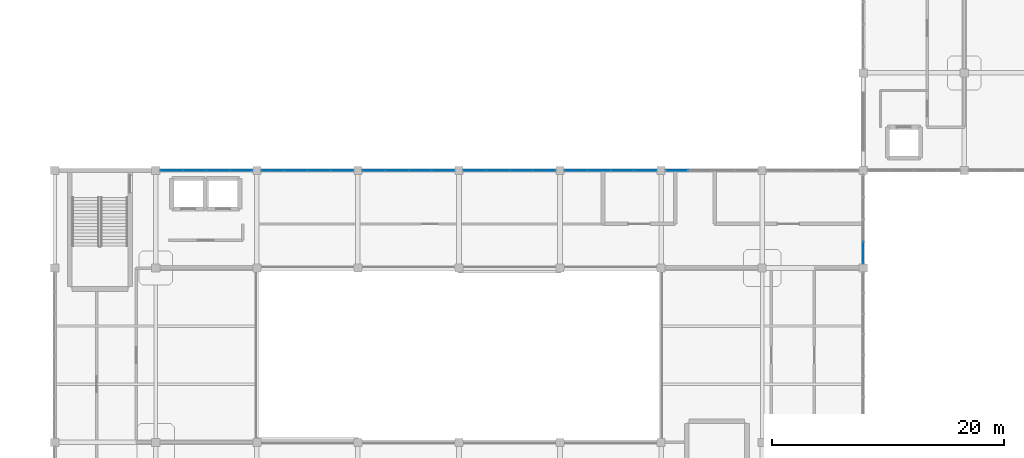
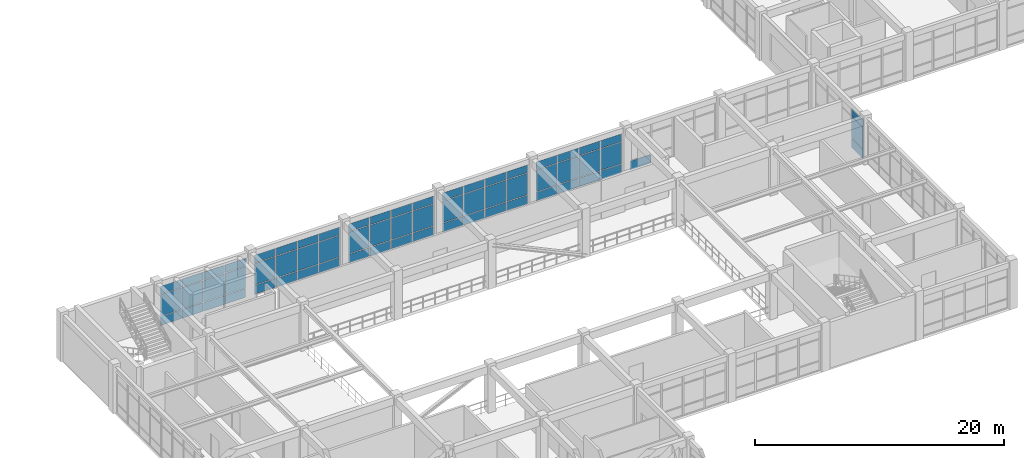
# One storey, part 56 of 76: 64 plates, 7 elements without a shape of their own.
"""IFC4 building model written with IfcOpenShell, lengths in metres."""

from ifc_helpers import new_model, si_unit, derived_unit, direction, frame, origin, origin_2d, place, context, subcontext, project, spatial, rectangle, extrude, material, layer, layer_set, type_object, element, aggregate, save


model = new_model("IFC4")

# Units and contexts
model_context = context("Model", 3, precision=1e-05, world=origin(), true_north=direction((0.0, 1.0)))
body_context = subcontext(model_context, "Body", "Model", "MODEL_VIEW")
ifc_project = project(units=[si_unit("LENGTHUNIT", "METRE"), si_unit("AREAUNIT", "SQUARE_METRE"), si_unit("VOLUMEUNIT", "CUBIC_METRE"), si_unit("PLANEANGLEUNIT", "RADIAN"), si_unit("MASSUNIT", "GRAM", prefix="KILO"), derived_unit("THERMALTRANSMITTANCEUNIT", [(si_unit("MASSUNIT", "GRAM", prefix="KILO"), 1), (si_unit("TIMEUNIT", "SECOND"), -3), (si_unit("THERMODYNAMICTEMPERATUREUNIT", "KELVIN"), -1)])], contexts=[model_context])

# Site, building, storey
site_placement = place(None, origin())
site = spatial("IfcSite", under=ifc_project, at=site_placement, CompositionType="ELEMENT")
building_placement = place(site_placement, origin())
building = spatial("IfcBuilding", under=site, at=building_placement, Name="Qinzheling Arcade Emporium", CompositionType="ELEMENT")
storey_placement = place(building_placement, frame((0.0, 0.0, 26.699951171875)))
storey = spatial("IfcBuildingStorey", under=building, at=storey_placement, Name="L06", CompositionType="ELEMENT", Elevation=26.699951171875)

# Curtain wall, plates
ifc_material_1 = material(Name="Anodised aluminium and solar-control double glazing", Category="aluminium")
ifc_layer_1 = layer(ifc_material_1, 0.159912109375, Name="Anodised aluminium and solar-control double glazing", Category="aluminium")
ifc_layer_set_1 = layer_set([ifc_layer_1], Name="Anodised aluminium and solar-control double glazing")
curtain_wall_type = type_object("IfcCurtainWallType", Name="Atrium Clerestory Curtain Wall", PredefinedType="NOTDEFINED", material=ifc_layer_set_1)
curtain_wall_1_placement = place(storey_placement, origin())
curtain_wall_1 = element("IfcCurtainWall", 1, at=curtain_wall_1_placement, inside=storey, type_object=curtain_wall_type, Name="Curtain Wall CW-L06-366", PredefinedType="NOTDEFINED")
ifc_material_2 = material(Name="Laminated solar-control double glazing", Category="glass")
ifc_layer_2 = layer(ifc_material_2, 0.02490234375, Name="Laminated solar-control double glazing", Category="glass")
ifc_layer_set_2 = layer_set([ifc_layer_2], Name="Laminated solar-control double glazing")
plate_type_1 = type_object("IfcPlateType", Name="Low-E Double Glazed Curtain Panel 25mm", PredefinedType="CURTAIN_PANEL", material=ifc_layer_set_2)
plate_1_placement = place(storey_placement, frame((44.866455078125, 73.800048828125, 0.06005859375), z_axis=(0.0, 0.0, 1.0), x_axis=(1.0, 0.0, 0.0)))
plate_1 = element("IfcPlate", 2, at=plate_1_placement, type_object=plate_type_1, Name="CW03 panel 1.1", PredefinedType="CURTAIN_PANEL", context=body_context, shape_type="SweptSolid", body=[
    extrude(rectangle(XDim=1.908935546875, YDim=0.02490234375, at=origin_2d()), origin(), (0.0, 0.0, 1.0), 0.860107421875),
])
plate_2_placement = place(storey_placement, frame((44.866455078125, 73.800048828125, 0.97998046875), z_axis=(0.0, 0.0, 1.0), x_axis=(1.0, 0.0, 0.0)))
plate_2 = element("IfcPlate", 3, at=plate_2_placement, type_object=plate_type_1, Name="CW03 panel 1.2", PredefinedType="CURTAIN_PANEL", context=body_context, shape_type="SweptSolid", body=[
    extrude(rectangle(XDim=1.908935546875, YDim=0.02490234375, at=origin_2d()), origin(), (0.0, 0.0, 1.0), 2.094970703125),
])
plate_3_placement = place(storey_placement, frame((44.866455078125, 73.800048828125, 3.13525390625), z_axis=(0.0, 0.0, 1.0), x_axis=(1.0, 0.0, 0.0)))
plate_3 = element("IfcPlate", 4, at=plate_3_placement, type_object=plate_type_1, Name="CW03 panel 1.3", PredefinedType="CURTAIN_PANEL", context=body_context, shape_type="SweptSolid", body=[
    extrude(rectangle(XDim=1.908935546875, YDim=0.02490234375, at=origin_2d()), origin(), (0.0, 0.0, 1.0), 0.760009765625),
])
plate_4_placement = place(storey_placement, frame((46.8505859375, 73.800048828125, 0.06005859375), z_axis=(0.0, 0.0, 1.0), x_axis=(1.0, 0.0, 0.0)))
plate_4 = element("IfcPlate", 5, at=plate_4_placement, type_object=plate_type_1, Name="CW03 panel 2.1", PredefinedType="CURTAIN_PANEL", context=body_context, shape_type="SweptSolid", body=[
    extrude(rectangle(XDim=1.93896484375, YDim=0.02490234375, at=origin_2d()), origin(), (0.0, 0.0, 1.0), 0.860107421875),
])
plate_5_placement = place(storey_placement, frame((46.8505859375, 73.800048828125, 0.97998046875), z_axis=(0.0, 0.0, 1.0), x_axis=(1.0, 0.0, 0.0)))
plate_5 = element("IfcPlate", 6, at=plate_5_placement, type_object=plate_type_1, Name="CW03 panel 2.2", PredefinedType="CURTAIN_PANEL", context=body_context, shape_type="SweptSolid", body=[
    extrude(rectangle(XDim=1.93896484375, YDim=0.02490234375, at=origin_2d()), origin(), (0.0, 0.0, 1.0), 2.094970703125),
])
plate_6_placement = place(storey_placement, frame((46.8505859375, 73.800048828125, 3.13525390625), z_axis=(0.0, 0.0, 1.0), x_axis=(1.0, 0.0, 0.0)))
plate_6 = element("IfcPlate", 7, at=plate_6_placement, type_object=plate_type_1, Name="CW03 panel 2.3", PredefinedType="CURTAIN_PANEL", context=body_context, shape_type="SweptSolid", body=[
    extrude(rectangle(XDim=1.93896484375, YDim=0.02490234375, at=origin_2d()), origin(), (0.0, 0.0, 1.0), 0.760009765625),
])
plate_7_placement = place(storey_placement, frame((48.849609375, 73.800048828125, 0.06005859375), z_axis=(0.0, 0.0, 1.0), x_axis=(1.0, 0.0, 0.0)))
plate_7 = element("IfcPlate", 8, at=plate_7_placement, type_object=plate_type_1, Name="CW03 panel 3.1", PredefinedType="CURTAIN_PANEL", context=body_context, shape_type="SweptSolid", body=[
    extrude(rectangle(XDim=1.93896484375, YDim=0.02490234375, at=origin_2d()), origin(), (0.0, 0.0, 1.0), 0.860107421875),
])
plate_8_placement = place(storey_placement, frame((48.849609375, 73.800048828125, 0.97998046875), z_axis=(0.0, 0.0, 1.0), x_axis=(1.0, 0.0, 0.0)))
plate_8 = element("IfcPlate", 9, at=plate_8_placement, type_object=plate_type_1, Name="CW03 panel 3.2", PredefinedType="CURTAIN_PANEL", context=body_context, shape_type="SweptSolid", body=[
    extrude(rectangle(XDim=1.93896484375, YDim=0.02490234375, at=origin_2d()), origin(), (0.0, 0.0, 1.0), 2.094970703125),
])
plate_9_placement = place(storey_placement, frame((48.849609375, 73.800048828125, 3.13525390625), z_axis=(0.0, 0.0, 1.0), x_axis=(1.0, 0.0, 0.0)))
plate_9 = element("IfcPlate", 10, at=plate_9_placement, type_object=plate_type_1, Name="CW03 panel 3.3", PredefinedType="CURTAIN_PANEL", context=body_context, shape_type="SweptSolid", body=[
    extrude(rectangle(XDim=1.93896484375, YDim=0.02490234375, at=origin_2d()), origin(), (0.0, 0.0, 1.0), 0.760009765625),
])
plate_10_placement = place(storey_placement, frame((50.83349609375, 73.800048828125, 0.06005859375), z_axis=(0.0, 0.0, 1.0), x_axis=(1.0, 0.0, 0.0)))
plate_10 = element("IfcPlate", 11, at=plate_10_placement, type_object=plate_type_1, Name="CW03 panel 4.1", PredefinedType="CURTAIN_PANEL", context=body_context, shape_type="SweptSolid", body=[
    extrude(rectangle(XDim=1.908935546875, YDim=0.02490234375, at=origin_2d()), origin(), (0.0, 0.0, 1.0), 0.860107421875),
])
plate_11_placement = place(storey_placement, frame((50.83349609375, 73.800048828125, 0.97998046875), z_axis=(0.0, 0.0, 1.0), x_axis=(1.0, 0.0, 0.0)))
plate_11 = element("IfcPlate", 12, at=plate_11_placement, type_object=plate_type_1, Name="CW03 panel 4.2", PredefinedType="CURTAIN_PANEL", context=body_context, shape_type="SweptSolid", body=[
    extrude(rectangle(XDim=1.908935546875, YDim=0.02490234375, at=origin_2d()), origin(), (0.0, 0.0, 1.0), 2.094970703125),
])
plate_12_placement = place(storey_placement, frame((50.83349609375, 73.800048828125, 3.13525390625), z_axis=(0.0, 0.0, 1.0), x_axis=(1.0, 0.0, 0.0)))
plate_12 = element("IfcPlate", 13, at=plate_12_placement, type_object=plate_type_1, Name="CW03 panel 4.3", PredefinedType="CURTAIN_PANEL", context=body_context, shape_type="SweptSolid", body=[
    extrude(rectangle(XDim=1.908935546875, YDim=0.02490234375, at=origin_2d()), origin(), (0.0, 0.0, 1.0), 0.760009765625),
])
aggregate(curtain_wall_1, [plate_1, plate_2, plate_3, plate_4, plate_5, plate_6, plate_7, plate_8, plate_9, plate_10, plate_11, plate_12])

curtain_wall_2_placement = place(storey_placement, origin())
curtain_wall_2 = element("IfcCurtainWall", 14, at=curtain_wall_2_placement, inside=storey, type_object=curtain_wall_type, Name="Curtain Wall CW-L06-367", PredefinedType="NOTDEFINED")
ifc_layer_3 = layer(ifc_material_2, 0.02587890625, Name="Laminated solar-control double glazing", Category="glass")
ifc_layer_set_3 = layer_set([ifc_layer_3], Name="Laminated solar-control double glazing")
plate_type_2 = type_object("IfcPlateType", Name="Low-E Double Glazed Curtain Panel 26mm", PredefinedType="CURTAIN_PANEL", material=ifc_layer_set_3)
plate_13_placement = place(storey_placement, frame((53.56640625, 73.800048828125, 0.06005859375), z_axis=(0.0, 0.0, 1.0), x_axis=(1.0, 0.0, 0.0)))
plate_13 = element("IfcPlate", 15, at=plate_13_placement, type_object=plate_type_2, Name="CW03 panel 1.1", PredefinedType="CURTAIN_PANEL", context=body_context, shape_type="SweptSolid", body=[
    extrude(rectangle(XDim=1.908935546875, YDim=0.02587890625, at=origin_2d()), origin(), (0.0, 0.0, 1.0), 0.860107421875),
])
plate_14_placement = place(storey_placement, frame((53.56640625, 73.800048828125, 0.97998046875), z_axis=(0.0, 0.0, 1.0), x_axis=(1.0, 0.0, 0.0)))
plate_14 = element("IfcPlate", 16, at=plate_14_placement, type_object=plate_type_2, Name="CW03 panel 1.2", PredefinedType="CURTAIN_PANEL", context=body_context, shape_type="SweptSolid", body=[
    extrude(rectangle(XDim=1.908935546875, YDim=0.02587890625, at=origin_2d()), origin(), (0.0, 0.0, 1.0), 2.094970703125),
])
plate_15_placement = place(storey_placement, frame((53.56640625, 73.800048828125, 3.13525390625), z_axis=(0.0, 0.0, 1.0), x_axis=(1.0, 0.0, 0.0)))
plate_15 = element("IfcPlate", 17, at=plate_15_placement, type_object=plate_type_2, Name="CW03 panel 1.3", PredefinedType="CURTAIN_PANEL", context=body_context, shape_type="SweptSolid", body=[
    extrude(rectangle(XDim=1.908935546875, YDim=0.02587890625, at=origin_2d()), origin(), (0.0, 0.0, 1.0), 0.760009765625),
])
plate_16_placement = place(storey_placement, frame((55.550537109375, 73.800048828125, 0.06005859375), z_axis=(0.0, 0.0, 1.0), x_axis=(1.0, 0.0, 0.0)))
plate_16 = element("IfcPlate", 18, at=plate_16_placement, type_object=plate_type_2, Name="CW03 panel 2.1", PredefinedType="CURTAIN_PANEL", context=body_context, shape_type="SweptSolid", body=[
    extrude(rectangle(XDim=1.93896484375, YDim=0.02587890625, at=origin_2d()), origin(), (0.0, 0.0, 1.0), 0.860107421875),
])
plate_17_placement = place(storey_placement, frame((55.550537109375, 73.800048828125, 0.97998046875), z_axis=(0.0, 0.0, 1.0), x_axis=(1.0, 0.0, 0.0)))
plate_17 = element("IfcPlate", 19, at=plate_17_placement, type_object=plate_type_2, Name="CW03 panel 2.2", PredefinedType="CURTAIN_PANEL", context=body_context, shape_type="SweptSolid", body=[
    extrude(rectangle(XDim=1.93896484375, YDim=0.02587890625, at=origin_2d()), origin(), (0.0, 0.0, 1.0), 2.094970703125),
])
plate_18_placement = place(storey_placement, frame((55.550537109375, 73.800048828125, 3.13525390625), z_axis=(0.0, 0.0, 1.0), x_axis=(1.0, 0.0, 0.0)))
plate_18 = element("IfcPlate", 20, at=plate_18_placement, type_object=plate_type_2, Name="CW03 panel 2.3", PredefinedType="CURTAIN_PANEL", context=body_context, shape_type="SweptSolid", body=[
    extrude(rectangle(XDim=1.93896484375, YDim=0.02587890625, at=origin_2d()), origin(), (0.0, 0.0, 1.0), 0.760009765625),
])
plate_19_placement = place(storey_placement, frame((57.549560546875, 73.800048828125, 0.06005859375), z_axis=(0.0, 0.0, 1.0), x_axis=(1.0, 0.0, 0.0)))
plate_19 = element("IfcPlate", 21, at=plate_19_placement, type_object=plate_type_2, Name="CW03 panel 3.1", PredefinedType="CURTAIN_PANEL", context=body_context, shape_type="SweptSolid", body=[
    extrude(rectangle(XDim=1.93896484375, YDim=0.02587890625, at=origin_2d()), origin(), (0.0, 0.0, 1.0), 0.860107421875),
])
plate_20_placement = place(storey_placement, frame((57.549560546875, 73.800048828125, 0.97998046875), z_axis=(0.0, 0.0, 1.0), x_axis=(1.0, 0.0, 0.0)))
plate_20 = element("IfcPlate", 22, at=plate_20_placement, type_object=plate_type_2, Name="CW03 panel 3.2", PredefinedType="CURTAIN_PANEL", context=body_context, shape_type="SweptSolid", body=[
    extrude(rectangle(XDim=1.93896484375, YDim=0.02587890625, at=origin_2d()), origin(), (0.0, 0.0, 1.0), 2.094970703125),
])
plate_21_placement = place(storey_placement, frame((57.549560546875, 73.800048828125, 3.13525390625), z_axis=(0.0, 0.0, 1.0), x_axis=(1.0, 0.0, 0.0)))
plate_21 = element("IfcPlate", 23, at=plate_21_placement, type_object=plate_type_2, Name="CW03 panel 3.3", PredefinedType="CURTAIN_PANEL", context=body_context, shape_type="SweptSolid", body=[
    extrude(rectangle(XDim=1.93896484375, YDim=0.02587890625, at=origin_2d()), origin(), (0.0, 0.0, 1.0), 0.760009765625),
])
plate_22_placement = place(storey_placement, frame((59.533447265625, 73.800048828125, 0.06005859375), z_axis=(0.0, 0.0, 1.0), x_axis=(1.0, 0.0, 0.0)))
plate_22 = element("IfcPlate", 24, at=plate_22_placement, type_object=plate_type_2, Name="CW03 panel 4.1", PredefinedType="CURTAIN_PANEL", context=body_context, shape_type="SweptSolid", body=[
    extrude(rectangle(XDim=1.908935546875, YDim=0.02587890625, at=origin_2d()), origin(), (0.0, 0.0, 1.0), 0.860107421875),
])
plate_23_placement = place(storey_placement, frame((59.533447265625, 73.800048828125, 0.97998046875), z_axis=(0.0, 0.0, 1.0), x_axis=(1.0, 0.0, 0.0)))
plate_23 = element("IfcPlate", 25, at=plate_23_placement, type_object=plate_type_2, Name="CW03 panel 4.2", PredefinedType="CURTAIN_PANEL", context=body_context, shape_type="SweptSolid", body=[
    extrude(rectangle(XDim=1.908935546875, YDim=0.02587890625, at=origin_2d()), origin(), (0.0, 0.0, 1.0), 2.094970703125),
])
plate_24_placement = place(storey_placement, frame((59.533447265625, 73.800048828125, 3.13525390625), z_axis=(0.0, 0.0, 1.0), x_axis=(1.0, 0.0, 0.0)))
plate_24 = element("IfcPlate", 26, at=plate_24_placement, type_object=plate_type_2, Name="CW03 panel 4.3", PredefinedType="CURTAIN_PANEL", context=body_context, shape_type="SweptSolid", body=[
    extrude(rectangle(XDim=1.908935546875, YDim=0.02587890625, at=origin_2d()), origin(), (0.0, 0.0, 1.0), 0.760009765625),
])
aggregate(curtain_wall_2, [plate_13, plate_14, plate_15, plate_16, plate_17, plate_18, plate_19, plate_20, plate_21, plate_22, plate_23, plate_24])

curtain_wall_3_placement = place(storey_placement, origin())
curtain_wall_3 = element("IfcCurtainWall", 27, at=curtain_wall_3_placement, inside=storey, type_object=curtain_wall_type, Name="Curtain Wall CW-L06-368", PredefinedType="NOTDEFINED")
ifc_layer_4 = layer(ifc_material_2, 0.027099609375, Name="Laminated solar-control double glazing", Category="glass")
ifc_layer_set_4 = layer_set([ifc_layer_4], Name="Laminated solar-control double glazing")
plate_type_3 = type_object("IfcPlateType", Name="Low-E Double Glazed Curtain Panel 27mm", PredefinedType="CURTAIN_PANEL", material=ifc_layer_set_4)
plate_25_placement = place(storey_placement, frame((62.2666015625, 73.800048828125, 0.06005859375), z_axis=(0.0, 0.0, 1.0), x_axis=(1.0, 0.0, 0.0)))
plate_25 = element("IfcPlate", 28, at=plate_25_placement, type_object=plate_type_3, Name="CW03 panel 1.1", PredefinedType="CURTAIN_PANEL", context=body_context, shape_type="SweptSolid", body=[
    extrude(rectangle(XDim=1.908935546875, YDim=0.027099609375, at=origin_2d()), origin(), (0.0, 0.0, 1.0), 0.860107421875),
])
plate_26_placement = place(storey_placement, frame((62.2666015625, 73.800048828125, 0.97998046875), z_axis=(0.0, 0.0, 1.0), x_axis=(1.0, 0.0, 0.0)))
plate_26 = element("IfcPlate", 29, at=plate_26_placement, type_object=plate_type_3, Name="CW03 panel 1.2", PredefinedType="CURTAIN_PANEL", context=body_context, shape_type="SweptSolid", body=[
    extrude(rectangle(XDim=1.908935546875, YDim=0.027099609375, at=origin_2d()), origin(), (0.0, 0.0, 1.0), 2.094970703125),
])
plate_27_placement = place(storey_placement, frame((62.2666015625, 73.800048828125, 3.13525390625), z_axis=(0.0, 0.0, 1.0), x_axis=(1.0, 0.0, 0.0)))
plate_27 = element("IfcPlate", 30, at=plate_27_placement, type_object=plate_type_3, Name="CW03 panel 1.3", PredefinedType="CURTAIN_PANEL", context=body_context, shape_type="SweptSolid", body=[
    extrude(rectangle(XDim=1.908935546875, YDim=0.027099609375, at=origin_2d()), origin(), (0.0, 0.0, 1.0), 0.760009765625),
])
plate_28_placement = place(storey_placement, frame((64.25048828125, 73.800048828125, 0.06005859375), z_axis=(0.0, 0.0, 1.0), x_axis=(1.0, 0.0, 0.0)))
plate_28 = element("IfcPlate", 31, at=plate_28_placement, type_object=plate_type_3, Name="CW03 panel 2.1", PredefinedType="CURTAIN_PANEL", context=body_context, shape_type="SweptSolid", body=[
    extrude(rectangle(XDim=1.93896484375, YDim=0.027099609375, at=origin_2d()), origin(), (0.0, 0.0, 1.0), 0.860107421875),
])
plate_29_placement = place(storey_placement, frame((64.25048828125, 73.800048828125, 0.97998046875), z_axis=(0.0, 0.0, 1.0), x_axis=(1.0, 0.0, 0.0)))
plate_29 = element("IfcPlate", 32, at=plate_29_placement, type_object=plate_type_3, Name="CW03 panel 2.2", PredefinedType="CURTAIN_PANEL", context=body_context, shape_type="SweptSolid", body=[
    extrude(rectangle(XDim=1.93896484375, YDim=0.027099609375, at=origin_2d()), origin(), (0.0, 0.0, 1.0), 2.094970703125),
])
plate_30_placement = place(storey_placement, frame((64.25048828125, 73.800048828125, 3.13525390625), z_axis=(0.0, 0.0, 1.0), x_axis=(1.0, 0.0, 0.0)))
plate_30 = element("IfcPlate", 33, at=plate_30_placement, type_object=plate_type_3, Name="CW03 panel 2.3", PredefinedType="CURTAIN_PANEL", context=body_context, shape_type="SweptSolid", body=[
    extrude(rectangle(XDim=1.93896484375, YDim=0.027099609375, at=origin_2d()), origin(), (0.0, 0.0, 1.0), 0.760009765625),
])
plate_31_placement = place(storey_placement, frame((66.24951171875, 73.800048828125, 0.06005859375), z_axis=(0.0, 0.0, 1.0), x_axis=(1.0, 0.0, 0.0)))
plate_31 = element("IfcPlate", 34, at=plate_31_placement, type_object=plate_type_3, Name="CW03 panel 3.1", PredefinedType="CURTAIN_PANEL", context=body_context, shape_type="SweptSolid", body=[
    extrude(rectangle(XDim=1.93896484375, YDim=0.027099609375, at=origin_2d()), origin(), (0.0, 0.0, 1.0), 0.860107421875),
])
plate_32_placement = place(storey_placement, frame((66.24951171875, 73.800048828125, 0.97998046875), z_axis=(0.0, 0.0, 1.0), x_axis=(1.0, 0.0, 0.0)))
plate_32 = element("IfcPlate", 35, at=plate_32_placement, type_object=plate_type_3, Name="CW03 panel 3.2", PredefinedType="CURTAIN_PANEL", context=body_context, shape_type="SweptSolid", body=[
    extrude(rectangle(XDim=1.93896484375, YDim=0.027099609375, at=origin_2d()), origin(), (0.0, 0.0, 1.0), 2.094970703125),
])
plate_33_placement = place(storey_placement, frame((66.24951171875, 73.800048828125, 3.13525390625), z_axis=(0.0, 0.0, 1.0), x_axis=(1.0, 0.0, 0.0)))
plate_33 = element("IfcPlate", 36, at=plate_33_placement, type_object=plate_type_3, Name="CW03 panel 3.3", PredefinedType="CURTAIN_PANEL", context=body_context, shape_type="SweptSolid", body=[
    extrude(rectangle(XDim=1.93896484375, YDim=0.027099609375, at=origin_2d()), origin(), (0.0, 0.0, 1.0), 0.760009765625),
])
plate_34_placement = place(storey_placement, frame((68.2333984375, 73.800048828125, 0.06005859375), z_axis=(0.0, 0.0, 1.0), x_axis=(1.0, 0.0, 0.0)))
plate_34 = element("IfcPlate", 37, at=plate_34_placement, type_object=plate_type_3, Name="CW03 panel 4.1", PredefinedType="CURTAIN_PANEL", context=body_context, shape_type="SweptSolid", body=[
    extrude(rectangle(XDim=1.908935546875, YDim=0.027099609375, at=origin_2d()), origin(), (0.0, 0.0, 1.0), 0.860107421875),
])
plate_35_placement = place(storey_placement, frame((68.2333984375, 73.800048828125, 0.97998046875), z_axis=(0.0, 0.0, 1.0), x_axis=(1.0, 0.0, 0.0)))
plate_35 = element("IfcPlate", 38, at=plate_35_placement, type_object=plate_type_3, Name="CW03 panel 4.2", PredefinedType="CURTAIN_PANEL", context=body_context, shape_type="SweptSolid", body=[
    extrude(rectangle(XDim=1.908935546875, YDim=0.027099609375, at=origin_2d()), origin(), (0.0, 0.0, 1.0), 2.094970703125),
])
plate_36_placement = place(storey_placement, frame((68.2333984375, 73.800048828125, 3.13525390625), z_axis=(0.0, 0.0, 1.0), x_axis=(1.0, 0.0, 0.0)))
plate_36 = element("IfcPlate", 39, at=plate_36_placement, type_object=plate_type_3, Name="CW03 panel 4.3", PredefinedType="CURTAIN_PANEL", context=body_context, shape_type="SweptSolid", body=[
    extrude(rectangle(XDim=1.908935546875, YDim=0.027099609375, at=origin_2d()), origin(), (0.0, 0.0, 1.0), 0.760009765625),
])
aggregate(curtain_wall_3, [plate_25, plate_26, plate_27, plate_28, plate_29, plate_30, plate_31, plate_32, plate_33, plate_34, plate_35, plate_36])

curtain_wall_4_placement = place(storey_placement, origin())
curtain_wall_4 = element("IfcCurtainWall", 40, at=curtain_wall_4_placement, inside=storey, type_object=curtain_wall_type, Name="Curtain Wall CW-L06-369", PredefinedType="NOTDEFINED")
ifc_layer_5 = layer(ifc_material_2, 0.028076171875, Name="Laminated solar-control double glazing", Category="glass")
ifc_layer_set_5 = layer_set([ifc_layer_5], Name="Laminated solar-control double glazing")
plate_type_4 = type_object("IfcPlateType", Name="Low-E Double Glazed Curtain Panel 28mm", PredefinedType="CURTAIN_PANEL", material=ifc_layer_set_5)
plate_37_placement = place(storey_placement, frame((70.966552734375, 73.800048828125, 0.06005859375), z_axis=(0.0, 0.0, 1.0), x_axis=(1.0, 0.0, 0.0)))
plate_37 = element("IfcPlate", 41, at=plate_37_placement, type_object=plate_type_4, Name="CW03 panel 1.1", PredefinedType="CURTAIN_PANEL", context=body_context, shape_type="SweptSolid", body=[
    extrude(rectangle(XDim=1.908935546875, YDim=0.028076171875, at=origin_2d()), origin(), (0.0, 0.0, 1.0), 0.860107421875),
])
plate_38_placement = place(storey_placement, frame((70.966552734375, 73.800048828125, 0.97998046875), z_axis=(0.0, 0.0, 1.0), x_axis=(1.0, 0.0, 0.0)))
plate_38 = element("IfcPlate", 42, at=plate_38_placement, type_object=plate_type_4, Name="CW03 panel 1.2", PredefinedType="CURTAIN_PANEL", context=body_context, shape_type="SweptSolid", body=[
    extrude(rectangle(XDim=1.908935546875, YDim=0.028076171875, at=origin_2d()), origin(), (0.0, 0.0, 1.0), 2.094970703125),
])
plate_39_placement = place(storey_placement, frame((70.966552734375, 73.800048828125, 3.13525390625), z_axis=(0.0, 0.0, 1.0), x_axis=(1.0, 0.0, 0.0)))
plate_39 = element("IfcPlate", 43, at=plate_39_placement, type_object=plate_type_4, Name="CW03 panel 1.3", PredefinedType="CURTAIN_PANEL", context=body_context, shape_type="SweptSolid", body=[
    extrude(rectangle(XDim=1.908935546875, YDim=0.028076171875, at=origin_2d()), origin(), (0.0, 0.0, 1.0), 0.760009765625),
])
plate_40_placement = place(storey_placement, frame((72.950439453125, 73.800048828125, 0.06005859375), z_axis=(0.0, 0.0, 1.0), x_axis=(1.0, 0.0, 0.0)))
plate_40 = element("IfcPlate", 44, at=plate_40_placement, type_object=plate_type_4, Name="CW03 panel 2.1", PredefinedType="CURTAIN_PANEL", context=body_context, shape_type="SweptSolid", body=[
    extrude(rectangle(XDim=1.93896484375, YDim=0.028076171875, at=origin_2d()), origin(), (0.0, 0.0, 1.0), 0.860107421875),
])
plate_41_placement = place(storey_placement, frame((72.950439453125, 73.800048828125, 0.97998046875), z_axis=(0.0, 0.0, 1.0), x_axis=(1.0, 0.0, 0.0)))
plate_41 = element("IfcPlate", 45, at=plate_41_placement, type_object=plate_type_4, Name="CW03 panel 2.2", PredefinedType="CURTAIN_PANEL", context=body_context, shape_type="SweptSolid", body=[
    extrude(rectangle(XDim=1.93896484375, YDim=0.028076171875, at=origin_2d()), origin(), (0.0, 0.0, 1.0), 2.094970703125),
])
plate_42_placement = place(storey_placement, frame((72.950439453125, 73.800048828125, 3.13525390625), z_axis=(0.0, 0.0, 1.0), x_axis=(1.0, 0.0, 0.0)))
plate_42 = element("IfcPlate", 46, at=plate_42_placement, type_object=plate_type_4, Name="CW03 panel 2.3", PredefinedType="CURTAIN_PANEL", context=body_context, shape_type="SweptSolid", body=[
    extrude(rectangle(XDim=1.93896484375, YDim=0.028076171875, at=origin_2d()), origin(), (0.0, 0.0, 1.0), 0.760009765625),
])
plate_43_placement = place(storey_placement, frame((74.949462890625, 73.800048828125, 0.06005859375), z_axis=(0.0, 0.0, 1.0), x_axis=(1.0, 0.0, 0.0)))
plate_43 = element("IfcPlate", 47, at=plate_43_placement, type_object=plate_type_4, Name="CW03 panel 3.1", PredefinedType="CURTAIN_PANEL", context=body_context, shape_type="SweptSolid", body=[
    extrude(rectangle(XDim=1.93896484375, YDim=0.028076171875, at=origin_2d()), origin(), (0.0, 0.0, 1.0), 0.860107421875),
])
plate_44_placement = place(storey_placement, frame((74.949462890625, 73.800048828125, 0.97998046875), z_axis=(0.0, 0.0, 1.0), x_axis=(1.0, 0.0, 0.0)))
plate_44 = element("IfcPlate", 48, at=plate_44_placement, type_object=plate_type_4, Name="CW03 panel 3.2", PredefinedType="CURTAIN_PANEL", context=body_context, shape_type="SweptSolid", body=[
    extrude(rectangle(XDim=1.93896484375, YDim=0.028076171875, at=origin_2d()), origin(), (0.0, 0.0, 1.0), 2.094970703125),
])
plate_45_placement = place(storey_placement, frame((74.949462890625, 73.800048828125, 3.13525390625), z_axis=(0.0, 0.0, 1.0), x_axis=(1.0, 0.0, 0.0)))
plate_45 = element("IfcPlate", 49, at=plate_45_placement, type_object=plate_type_4, Name="CW03 panel 3.3", PredefinedType="CURTAIN_PANEL", context=body_context, shape_type="SweptSolid", body=[
    extrude(rectangle(XDim=1.93896484375, YDim=0.028076171875, at=origin_2d()), origin(), (0.0, 0.0, 1.0), 0.760009765625),
])
plate_46_placement = place(storey_placement, frame((76.93359375, 73.800048828125, 0.06005859375), z_axis=(0.0, 0.0, 1.0), x_axis=(1.0, 0.0, 0.0)))
plate_46 = element("IfcPlate", 50, at=plate_46_placement, type_object=plate_type_4, Name="CW03 panel 4.1", PredefinedType="CURTAIN_PANEL", context=body_context, shape_type="SweptSolid", body=[
    extrude(rectangle(XDim=1.908935546875, YDim=0.028076171875, at=origin_2d()), origin(), (0.0, 0.0, 1.0), 0.860107421875),
])
plate_47_placement = place(storey_placement, frame((76.93359375, 73.800048828125, 0.97998046875), z_axis=(0.0, 0.0, 1.0), x_axis=(1.0, 0.0, 0.0)))
plate_47 = element("IfcPlate", 51, at=plate_47_placement, type_object=plate_type_4, Name="CW03 panel 4.2", PredefinedType="CURTAIN_PANEL", context=body_context, shape_type="SweptSolid", body=[
    extrude(rectangle(XDim=1.908935546875, YDim=0.028076171875, at=origin_2d()), origin(), (0.0, 0.0, 1.0), 2.094970703125),
])
plate_48_placement = place(storey_placement, frame((76.93359375, 73.800048828125, 3.13525390625), z_axis=(0.0, 0.0, 1.0), x_axis=(1.0, 0.0, 0.0)))
plate_48 = element("IfcPlate", 52, at=plate_48_placement, type_object=plate_type_4, Name="CW03 panel 4.3", PredefinedType="CURTAIN_PANEL", context=body_context, shape_type="SweptSolid", body=[
    extrude(rectangle(XDim=1.908935546875, YDim=0.028076171875, at=origin_2d()), origin(), (0.0, 0.0, 1.0), 0.760009765625),
])
aggregate(curtain_wall_4, [plate_37, plate_38, plate_39, plate_40, plate_41, plate_42, plate_43, plate_44, plate_45, plate_46, plate_47, plate_48])

curtain_wall_5_placement = place(storey_placement, origin())
curtain_wall_5 = element("IfcCurtainWall", 53, at=curtain_wall_5_placement, inside=storey, type_object=curtain_wall_type, Name="Curtain Wall CW-L06-370", PredefinedType="NOTDEFINED")
ifc_layer_6 = layer(ifc_material_2, 0.029052734375, Name="Laminated solar-control double glazing", Category="glass")
ifc_layer_set_6 = layer_set([ifc_layer_6], Name="Laminated solar-control double glazing")
plate_type_5 = type_object("IfcPlateType", Name="Low-E Double Glazed Curtain Panel 29mm", PredefinedType="CURTAIN_PANEL", material=ifc_layer_set_6)
plate_49_placement = place(storey_placement, frame((79.66650390625, 73.800048828125, 0.06005859375), z_axis=(0.0, 0.0, 1.0), x_axis=(1.0, 0.0, 0.0)))
plate_49 = element("IfcPlate", 54, at=plate_49_placement, type_object=plate_type_5, Name="CW03 panel 1.1", PredefinedType="CURTAIN_PANEL", context=body_context, shape_type="SweptSolid", body=[
    extrude(rectangle(XDim=1.908935546875, YDim=0.029052734375, at=origin_2d()), origin(), (0.0, 0.0, 1.0), 0.860107421875),
])
plate_50_placement = place(storey_placement, frame((79.66650390625, 73.800048828125, 0.97998046875), z_axis=(0.0, 0.0, 1.0), x_axis=(1.0, 0.0, 0.0)))
plate_50 = element("IfcPlate", 55, at=plate_50_placement, type_object=plate_type_5, Name="CW03 panel 1.2", PredefinedType="CURTAIN_PANEL", context=body_context, shape_type="SweptSolid", body=[
    extrude(rectangle(XDim=1.908935546875, YDim=0.029052734375, at=origin_2d()), origin(), (0.0, 0.0, 1.0), 2.094970703125),
])
plate_51_placement = place(storey_placement, frame((79.66650390625, 73.800048828125, 3.13525390625), z_axis=(0.0, 0.0, 1.0), x_axis=(1.0, 0.0, 0.0)))
plate_51 = element("IfcPlate", 56, at=plate_51_placement, type_object=plate_type_5, Name="CW03 panel 1.3", PredefinedType="CURTAIN_PANEL", context=body_context, shape_type="SweptSolid", body=[
    extrude(rectangle(XDim=1.908935546875, YDim=0.029052734375, at=origin_2d()), origin(), (0.0, 0.0, 1.0), 0.760009765625),
])
plate_52_placement = place(storey_placement, frame((81.650390625, 73.800048828125, 0.06005859375), z_axis=(0.0, 0.0, 1.0), x_axis=(1.0, 0.0, 0.0)))
plate_52 = element("IfcPlate", 57, at=plate_52_placement, type_object=plate_type_5, Name="CW03 panel 2.1", PredefinedType="CURTAIN_PANEL", context=body_context, shape_type="SweptSolid", body=[
    extrude(rectangle(XDim=1.93896484375, YDim=0.029052734375, at=origin_2d()), origin(), (0.0, 0.0, 1.0), 0.860107421875),
])
plate_53_placement = place(storey_placement, frame((81.650390625, 73.800048828125, 0.97998046875), z_axis=(0.0, 0.0, 1.0), x_axis=(1.0, 0.0, 0.0)))
plate_53 = element("IfcPlate", 58, at=plate_53_placement, type_object=plate_type_5, Name="CW03 panel 2.2", PredefinedType="CURTAIN_PANEL", context=body_context, shape_type="SweptSolid", body=[
    extrude(rectangle(XDim=1.93896484375, YDim=0.029052734375, at=origin_2d()), origin(), (0.0, 0.0, 1.0), 2.094970703125),
])
plate_54_placement = place(storey_placement, frame((81.650390625, 73.800048828125, 3.13525390625), z_axis=(0.0, 0.0, 1.0), x_axis=(1.0, 0.0, 0.0)))
plate_54 = element("IfcPlate", 59, at=plate_54_placement, type_object=plate_type_5, Name="CW03 panel 2.3", PredefinedType="CURTAIN_PANEL", context=body_context, shape_type="SweptSolid", body=[
    extrude(rectangle(XDim=1.93896484375, YDim=0.029052734375, at=origin_2d()), origin(), (0.0, 0.0, 1.0), 0.760009765625),
])
plate_55_placement = place(storey_placement, frame((83.6494140625, 73.800048828125, 0.06005859375), z_axis=(0.0, 0.0, 1.0), x_axis=(1.0, 0.0, 0.0)))
plate_55 = element("IfcPlate", 60, at=plate_55_placement, type_object=plate_type_5, Name="CW03 panel 3.1", PredefinedType="CURTAIN_PANEL", context=body_context, shape_type="SweptSolid", body=[
    extrude(rectangle(XDim=1.93896484375, YDim=0.029052734375, at=origin_2d()), origin(), (0.0, 0.0, 1.0), 0.860107421875),
])
plate_56_placement = place(storey_placement, frame((83.6494140625, 73.800048828125, 0.97998046875), z_axis=(0.0, 0.0, 1.0), x_axis=(1.0, 0.0, 0.0)))
plate_56 = element("IfcPlate", 61, at=plate_56_placement, type_object=plate_type_5, Name="CW03 panel 3.2", PredefinedType="CURTAIN_PANEL", context=body_context, shape_type="SweptSolid", body=[
    extrude(rectangle(XDim=1.93896484375, YDim=0.029052734375, at=origin_2d()), origin(), (0.0, 0.0, 1.0), 2.094970703125),
])
plate_57_placement = place(storey_placement, frame((83.6494140625, 73.800048828125, 3.13525390625), z_axis=(0.0, 0.0, 1.0), x_axis=(1.0, 0.0, 0.0)))
plate_57 = element("IfcPlate", 62, at=plate_57_placement, type_object=plate_type_5, Name="CW03 panel 3.3", PredefinedType="CURTAIN_PANEL", context=body_context, shape_type="SweptSolid", body=[
    extrude(rectangle(XDim=1.93896484375, YDim=0.029052734375, at=origin_2d()), origin(), (0.0, 0.0, 1.0), 0.760009765625),
])
plate_58_placement = place(storey_placement, frame((85.633544921875, 73.800048828125, 0.06005859375), z_axis=(0.0, 0.0, 1.0), x_axis=(1.0, 0.0, 0.0)))
plate_58 = element("IfcPlate", 63, at=plate_58_placement, type_object=plate_type_5, Name="CW03 panel 4.1", PredefinedType="CURTAIN_PANEL", context=body_context, shape_type="SweptSolid", body=[
    extrude(rectangle(XDim=1.908935546875, YDim=0.029052734375, at=origin_2d()), origin(), (0.0, 0.0, 1.0), 0.860107421875),
])
plate_59_placement = place(storey_placement, frame((85.633544921875, 73.800048828125, 0.97998046875), z_axis=(0.0, 0.0, 1.0), x_axis=(1.0, 0.0, 0.0)))
plate_59 = element("IfcPlate", 64, at=plate_59_placement, type_object=plate_type_5, Name="CW03 panel 4.2", PredefinedType="CURTAIN_PANEL", context=body_context, shape_type="SweptSolid", body=[
    extrude(rectangle(XDim=1.908935546875, YDim=0.029052734375, at=origin_2d()), origin(), (0.0, 0.0, 1.0), 2.094970703125),
])
plate_60_placement = place(storey_placement, frame((85.633544921875, 73.800048828125, 3.13525390625), z_axis=(0.0, 0.0, 1.0), x_axis=(1.0, 0.0, 0.0)))
plate_60 = element("IfcPlate", 65, at=plate_60_placement, type_object=plate_type_5, Name="CW03 panel 4.3", PredefinedType="CURTAIN_PANEL", context=body_context, shape_type="SweptSolid", body=[
    extrude(rectangle(XDim=1.908935546875, YDim=0.029052734375, at=origin_2d()), origin(), (0.0, 0.0, 1.0), 0.760009765625),
])
aggregate(curtain_wall_5, [plate_49, plate_50, plate_51, plate_52, plate_53, plate_54, plate_55, plate_56, plate_57, plate_58, plate_59, plate_60])

# Curtain wall, plate
curtain_wall_6_placement = place(storey_placement, origin())
curtain_wall_6 = element("IfcCurtainWall", 66, at=curtain_wall_6_placement, inside=storey, type_object=curtain_wall_type, Name="Curtain Wall CW-L06-371", PredefinedType="NOTDEFINED")
ifc_layer_7 = layer(ifc_material_2, 0.030029296875, Name="Laminated solar-control double glazing", Category="glass")
ifc_layer_set_7 = layer_set([ifc_layer_7], Name="Laminated solar-control double glazing")
plate_type_6 = type_object("IfcPlateType", Name="Low-E Double Glazed Curtain Panel 30mm", PredefinedType="CURTAIN_PANEL", material=ifc_layer_set_7)
plate_61_placement = place(storey_placement, frame((88.366455078125, 73.800048828125, 0.06005859375), z_axis=(0.0, 0.0, 1.0), x_axis=(1.0, 0.0, 0.0)))
plate_61 = element("IfcPlate", 67, at=plate_61_placement, type_object=plate_type_6, Name="CW03 panel 1.1", PredefinedType="CURTAIN_PANEL", context=body_context, shape_type="SweptSolid", body=[
    extrude(rectangle(XDim=1.908935546875, YDim=0.030029296875, at=origin_2d()), origin(), (0.0, 0.0, 1.0), 0.860107421875),
])
aggregate(curtain_wall_6, [plate_61])

# Curtain wall, plates
curtain_wall_7_placement = place(storey_placement, origin())
curtain_wall_7 = element("IfcCurtainWall", 68, at=curtain_wall_7_placement, inside=storey, type_object=curtain_wall_type, Name="Curtain Wall CW-L06-373", PredefinedType="NOTDEFINED")
ifc_layer_8 = layer(ifc_material_2, 0.031982421875, Name="Laminated solar-control double glazing", Category="glass")
ifc_layer_set_8 = layer_set([ifc_layer_8], Name="Laminated solar-control double glazing")
plate_type_7 = type_object("IfcPlateType", Name="Low-E Double Glazed Curtain Panel 32mm", PredefinedType="CURTAIN_PANEL", material=ifc_layer_set_8)
plate_62_placement = place(storey_placement, frame((104.39990234375, 66.72900390625, 0.06005859375), z_axis=(0.0, 0.0, 1.0), x_axis=(0.0, -1.0, 0.0)))
plate_62 = element("IfcPlate", 69, at=plate_62_placement, type_object=plate_type_7, Name="CW03 panel 4.1", PredefinedType="CURTAIN_PANEL", context=body_context, shape_type="SweptSolid", body=[
    extrude(rectangle(XDim=1.833984375, YDim=0.031982421875, at=origin_2d()), origin(), (0.0, 0.0, 1.0), 0.860107421875),
])
plate_63_placement = place(storey_placement, frame((104.39990234375, 66.72900390625, 0.97998046875), z_axis=(0.0, 0.0, 1.0), x_axis=(0.0, -1.0, 0.0)))
plate_63 = element("IfcPlate", 70, at=plate_63_placement, type_object=plate_type_7, Name="CW03 panel 4.2", PredefinedType="CURTAIN_PANEL", context=body_context, shape_type="SweptSolid", body=[
    extrude(rectangle(XDim=1.833984375, YDim=0.031982421875, at=origin_2d()), origin(), (0.0, 0.0, 1.0), 2.094970703125),
])
plate_64_placement = place(storey_placement, frame((104.39990234375, 66.72900390625, 3.13525390625), z_axis=(0.0, 0.0, 1.0), x_axis=(0.0, -1.0, 0.0)))
plate_64 = element("IfcPlate", 71, at=plate_64_placement, type_object=plate_type_7, Name="CW03 panel 4.3", PredefinedType="CURTAIN_PANEL", context=body_context, shape_type="SweptSolid", body=[
    extrude(rectangle(XDim=1.833984375, YDim=0.031982421875, at=origin_2d()), origin(), (0.0, 0.0, 1.0), 0.760009765625),
])
aggregate(curtain_wall_7, [plate_62, plate_63, plate_64])

save(model, "model.ifc")
